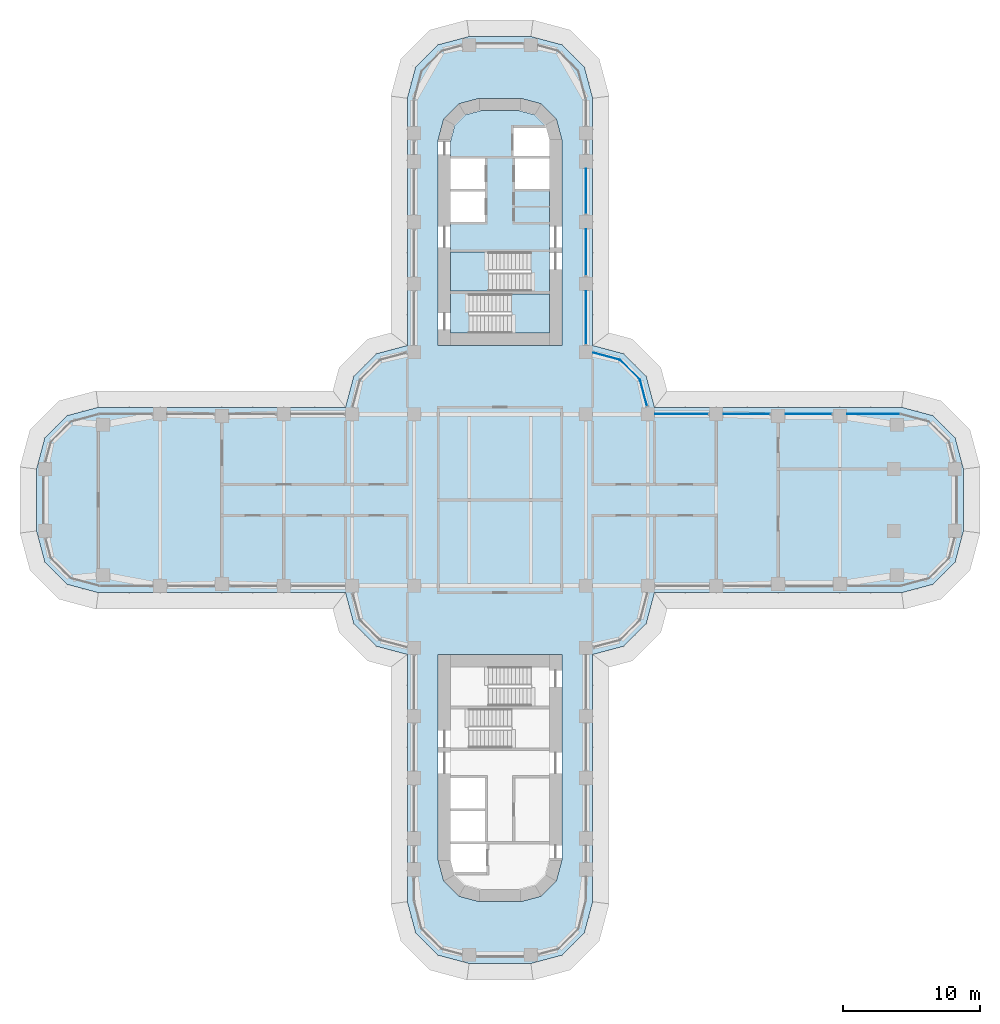
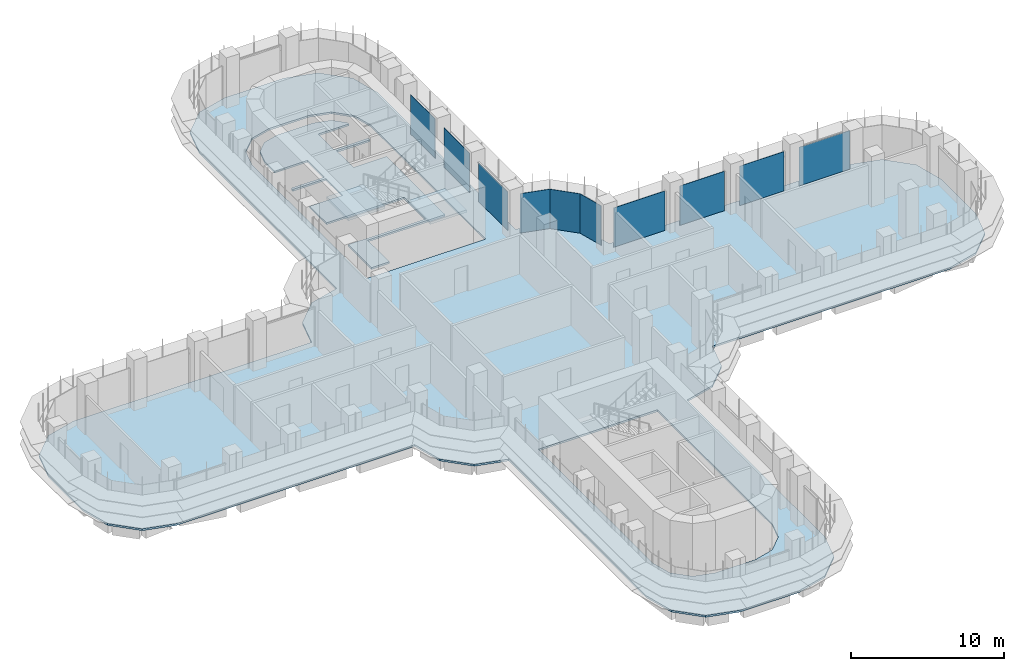
# One storey, part 15 of 23: 10 plates, 4 slabs, 7 elements without a shape of their own.
"""IFC4 building model written with IfcOpenShell, lengths in metres."""

from ifc_helpers import new_model, si_unit, direction, frame, origin, place, context, subcontext, project, spatial, polyline, outline, extrude, source, transform, mapped, material, layer, layer_set, type_object, element, aggregate, save


model = new_model("IFC4")

# Units and contexts
model_context = context("Model", 3, precision=1e-05, world=origin(), true_north=direction((0.0, 1.0)))
body_context = subcontext(model_context, "Body", "Model", "MODEL_VIEW")
ifc_project = project(units=[si_unit("LENGTHUNIT", "METRE"), si_unit("AREAUNIT", "SQUARE_METRE"), si_unit("VOLUMEUNIT", "CUBIC_METRE"), si_unit("PLANEANGLEUNIT", "RADIAN"), si_unit("MASSUNIT", "GRAM", prefix="KILO")], contexts=[model_context])

# Site, building, storey
site_placement = place(None, origin())
site = spatial("IfcSite", under=ifc_project, at=site_placement, CompositionType="ELEMENT")
building_placement = place(site_placement, origin())
building = spatial("IfcBuilding", under=site, at=building_placement, Name="Zarbagh Exchange Tower", CompositionType="ELEMENT")
storey_placement = place(building_placement, frame((0.0, 0.0, 43.800048828125)))
storey = spatial("IfcBuildingStorey", under=building, at=storey_placement, Name="L09", CompositionType="ELEMENT", Elevation=43.800048828125)

# Slabs
ifc_material_1 = material(Name="Concrete C40/50", Category="concrete")
ifc_layer_1 = layer(ifc_material_1, 0.14990234375)
ifc_layer_set_1 = layer_set([ifc_layer_1], Name="Composite floor slab 150 C40/50")
slab_type_1 = type_object("IfcSlabType", Name="Composite floor slab 150 C40/50", PredefinedType="FLOOR", material=ifc_layer_set_1)
slab_1_placement = place(storey_placement, frame((0.0, 0.0, -0.150146484375)))
element("IfcSlab", 1, at=slab_1_placement, inside=storey, type_object=slab_type_1, Name="S5 composite floor slab", PredefinedType="FLOOR", context=body_context, shape_type="SweptSolid", body=[
    extrude(outline(polyline([(-2.25, -33.75), (-4.5, -33.147216796875), (-6.147216796875, -31.5), (-6.75, -29.25), (-6.75, -11.25), (-9.0, -10.647216796875), (-10.647216796875, -9.0), (-11.25, -6.75), (-29.25, -6.75), (-31.5, -6.147216796875), (-33.147216796875, -4.5), (-33.75, -2.25), (-33.75, 2.25), (-33.147216796875, 4.5), (-31.5, 6.147216796875), (-29.25, 6.75), (-11.25, 6.75), (-10.647216796875, 9.0), (-9.0, 10.647216796875), (-6.75, 11.25), (-6.75, 29.25), (-6.147216796875, 31.5), (-4.5, 33.147216796875), (-2.25, 33.75), (2.25, 33.75), (4.5, 33.147216796875), (6.147216796875, 31.5), (6.75, 29.25), (6.75, 11.25), (9.0, 10.647216796875), (10.647216796875, 9.0), (11.25, 6.75), (29.25, 6.75), (31.5, 6.147216796875), (33.147216796875, 4.5), (33.75, 2.25), (33.75, -2.25), (33.147216796875, -4.5), (31.5, -6.147216796875), (29.25, -6.75), (11.25, -6.75), (10.647216796875, -9.0), (9.0, -10.647216796875), (6.75, -11.25), (6.75, -29.25), (6.147216796875, -31.5), (4.5, -33.147216796875), (2.25, -33.75), (-2.25, -33.75)]), holes=[polyline([(4.5, 11.25), (4.5, 26.25), (4.09814453125, 27.75), (3.0, 28.84814453125), (1.5, 29.25), (-1.5, 29.25), (-3.0, 28.84814453125), (-4.09814453125, 27.75), (-4.5, 26.25), (-4.5, 11.25), (4.5, 11.25)]), polyline([(-1.5, -29.25), (1.5, -29.25), (3.0, -28.84814453125), (4.09814453125, -27.75), (4.5, -26.25), (4.5, -11.25), (-4.5, -11.25), (-4.5, -26.25), (-4.09814453125, -27.75), (-3.0, -28.84814453125), (-1.5, -29.25)])]), origin(), (0.0, 0.0, 1.0), 0.150146484375),
])
ifc_layer_2 = layer(ifc_material_1, 0.14990234375)
ifc_layer_set_2 = layer_set([ifc_layer_2], Name="Core floor slab 150 C40/50")
slab_type_2 = type_object("IfcSlabType", Name="Core floor slab 150 C40/50", PredefinedType="FLOOR", material=ifc_layer_set_2)
slab_2_placement = place(storey_placement, frame((0.0, 0.0, -0.150146484375)))
element("IfcSlab", 2, at=slab_2_placement, inside=storey, type_object=slab_type_2, Name="S17 core N", PredefinedType="FLOOR", context=body_context, shape_type="SweptSolid", body=[
    extrude(outline(polyline([(-3.60009765625, 12.14990234375), (-3.60009765625, 15.199951171875), (2.25, 15.199951171875), (2.25, 18.050048828125), (-3.60009765625, 18.050048828125), (-3.60009765625, 20.25), (-1.10009765625, 20.25), (-1.10009765625, 22.449951171875), (-3.60009765625, 22.449951171875), (-3.60009765625, 22.64990234375), (-1.10009765625, 22.64990234375), (-1.10009765625, 24.85009765625), (-3.60009765625, 24.85009765625), (-3.60009765625, 26.131591796875), (-3.291259765625, 27.2841796875), (-2.5341796875, 28.041259765625), (-1.381591796875, 28.35009765625), (1.381591796875, 28.35009765625), (2.5341796875, 28.041259765625), (3.291259765625, 27.2841796875), (3.340576171875, 27.10009765625), (1.0, 27.10009765625), (1.0, 25.050048828125), (3.60009765625, 25.050048828125), (3.60009765625, 24.85009765625), (1.10009765625, 24.85009765625), (1.10009765625, 22.64990234375), (3.60009765625, 22.64990234375), (3.60009765625, 15.0), (-2.25, 15.0), (-2.25, 12.14990234375), (-3.60009765625, 12.14990234375)])), origin(), (0.0, 0.0, 1.0), 0.150146484375),
])

# Stair, slab
stair_type = type_object("IfcStairType", Name="Exit stair two-flight half-turn", PredefinedType="HALF_TURN_STAIR", material=ifc_material_1)
stair_1_placement = place(storey_placement, origin())
stair_1 = element("IfcStair", 3, at=stair_1_placement, inside=storey, type_object=stair_type, Name="exit stair ST1", PredefinedType="HALF_TURN_STAIR")
ifc_layer_3 = layer(ifc_material_1, 0.199951171875)
ifc_layer_set_3 = layer_set([ifc_layer_3], Name="Stair landing 200 mm")
slab_type_3 = type_object("IfcSlabType", Name="Stair landing 200 mm", PredefinedType="LANDING", material=ifc_layer_set_3)
slab_3_placement = place(storey_placement, frame((0.0, 0.0, 1.89990234375)))
slab_3 = element("IfcSlab", 4, at=slab_3_placement, type_object=slab_type_3, Name="ST1 landing 1", PredefinedType="LANDING", context=body_context, shape_type="SweptSolid", body=[
    extrude(outline(polyline([(-0.830078125, 18.050048828125), (-3.60009765625, 18.050048828125), (-3.60009765625, 15.199951171875), (-0.830078125, 15.199951171875), (-0.830078125, 18.050048828125)])), origin(), (0.0, 0.0, 1.0), 0.199951171875),
])
aggregate(stair_1, [slab_3])

stair_2_placement = place(storey_placement, origin())
stair_2 = element("IfcStair", 5, at=stair_2_placement, inside=storey, type_object=stair_type, Name="exit stair ST2", PredefinedType="HALF_TURN_STAIR")
slab_4_placement = place(storey_placement, frame((0.0, 0.0, 1.89990234375)))
slab_4 = element("IfcSlab", 6, at=slab_4_placement, type_object=slab_type_3, Name="ST2 landing 1", PredefinedType="LANDING", context=body_context, shape_type="SweptSolid", body=[
    extrude(outline(polyline([(0.830078125, 12.14990234375), (3.60009765625, 12.14990234375), (3.60009765625, 15.0), (0.830078125, 15.0), (0.830078125, 12.14990234375)])), origin(), (0.0, 0.0, 1.0), 0.199951171875),
])
aggregate(stair_2, [slab_4])

# Curtain wall, plate
ifc_material_2 = material(Name="Anodised aluminium frame and glazing", Category="aluminium")
curtain_wall_type = type_object("IfcCurtainWallType", Name="CWA Ribbon glazing, lower zones", PredefinedType="NOTDEFINED", material=ifc_material_2)
curtain_wall_1_placement = place(storey_placement, origin())
curtain_wall_1 = element("IfcCurtainWall", 7, at=curtain_wall_1_placement, inside=storey, type_object=curtain_wall_type, Name="CWA18 curtain wall", PredefinedType="NOTDEFINED")
ifc_material_3 = material(Name="Low-e double glazed unit, 6+12+6 mm")
ifc_layer_4 = layer(ifc_material_3, 0.028076171875)
ifc_layer_set_4 = layer_set([ifc_layer_4], Name="PAA Glazing panel, Low-e double glazed unit, 6+12+6 mm")
plate_type = type_object("IfcPlateType", Name="PAA Glazing panel, Low-e double glazed unit, 6+12+6 mm", PredefinedType="CURTAIN_PANEL", material=ifc_layer_set_4)
shared_shape_1 = source(origin(), body_context, "Body", "SweptSolid", [
    extrude(outline(polyline([(0.0, -0.013916015625), (2.061279296875, -0.013916015625), (2.061279296875, 0.013916015625), (0.0, 0.013916015625), (0.0, -0.013916015625)])), origin(), (0.0, 0.0, 1.0), 3.14990234375),
])
placement = place(storey_placement, origin())
plate_1 = element("IfcPlate", 8, at=placement, type_object=plate_type, Name="CWA18 glazing panel 1.1", PredefinedType="CURTAIN_PANEL", context=body_context, shape_type="MappedRepresentation", body=[
    mapped(shared_shape_1, transform((10.19873046875, 8.7412109375, 0.0), x_axis=(-0.707106781187, 0.707106781187, 0.0), y_axis=(-0.707106781187, -0.707106781187, 0.0), z_axis=(0.0, 0.0, 1.0))),
])
aggregate(curtain_wall_1, [plate_1])

curtain_wall_2_placement = place(storey_placement, origin())
curtain_wall_2 = element("IfcCurtainWall", 9, at=curtain_wall_2_placement, inside=storey, type_object=curtain_wall_type, Name="CWA20 curtain wall", PredefinedType="NOTDEFINED")
shared_shape_2 = source(origin(), body_context, "Body", "SweptSolid", [
    extrude(outline(polyline([(0.0, -0.013916015625), (3.260009765625, -0.013916015625), (3.260009765625, 0.013916015625), (0.0, 0.013916015625), (0.0, -0.013916015625)])), origin(), (0.0, 0.0, 1.0), 3.14990234375),
])
plate_2 = element("IfcPlate", 10, at=placement, type_object=plate_type, Name="CWA20 glazing panel 3.1", PredefinedType="CURTAIN_PANEL", context=body_context, shape_type="MappedRepresentation", body=[
    mapped(shared_shape_2, transform((6.25, 20.85009765625, 0.0), x_axis=(0.0, 1.0, 0.0), y_axis=(-1.0, 0.0, 0.0), z_axis=(0.0, 0.0, 1.0))),
])

# Curtain wall, plates
curtain_wall_3_placement = place(storey_placement, origin())
curtain_wall_3 = element("IfcCurtainWall", 11, at=curtain_wall_3_placement, inside=storey, type_object=curtain_wall_type, Name="CWA16 curtain wall", PredefinedType="NOTDEFINED")
shared_shape_3 = source(origin(), body_context, "Body", "SweptSolid", [
    extrude(outline(polyline([(0.0, -0.013916015625), (3.360107421875, -0.013916015625), (3.360107421875, 0.013916015625), (0.0, 0.013916015625), (0.0, -0.013916015625)])), origin(), (0.0, 0.0, 1.0), 3.14990234375),
])
plate_3 = element("IfcPlate", 12, at=placement, type_object=plate_type, Name="CWA16 glazing panel 2.1", PredefinedType="CURTAIN_PANEL", context=body_context, shape_type="MappedRepresentation", body=[
    mapped(shared_shape_3, transform((24.14990234375, 6.25, 0.0), x_axis=(-1.0, 0.0, 0.0), y_axis=(0.0, -1.0, 0.0), z_axis=(0.0, 0.0, 1.0))),
])
plate_4 = element("IfcPlate", 13, at=placement, type_object=plate_type, Name="CWA16 glazing panel 3.1", PredefinedType="CURTAIN_PANEL", context=body_context, shape_type="MappedRepresentation", body=[
    mapped(shared_shape_3, transform((19.64990234375, 6.25, 0.0), x_axis=(-1.0, 0.0, 0.0), y_axis=(0.0, -1.0, 0.0), z_axis=(0.0, 0.0, 1.0))),
])

# Plate
plate_5 = element("IfcPlate", 14, at=placement, type_object=plate_type, Name="CWA20 glazing panel 2.1", PredefinedType="CURTAIN_PANEL", context=body_context, shape_type="MappedRepresentation", body=[
    mapped(shared_shape_3, transform((6.25, 16.35009765625, 0.0), x_axis=(0.0, 1.0, 0.0), y_axis=(-1.0, 0.0, 0.0), z_axis=(0.0, 0.0, 1.0))),
])

# Curtain wall, plate
curtain_wall_4_placement = place(storey_placement, origin())
curtain_wall_4 = element("IfcCurtainWall", 15, at=curtain_wall_4_placement, inside=storey, type_object=curtain_wall_type, Name="CWA17 curtain wall", PredefinedType="NOTDEFINED")
shared_shape_4 = source(origin(), body_context, "Body", "SweptSolid", [
    extrude(outline(polyline([(0.0, -0.013916015625), (1.9599609375, -0.013916015625), (1.9599609375, 0.013916015625), (0.0, 0.013916015625), (0.0, -0.013916015625)])), origin(), (0.0, 0.0, 1.0), 3.14990234375),
])
plate_6 = element("IfcPlate", 16, at=placement, type_object=plate_type, Name="CWA17 glazing panel 1.1", PredefinedType="CURTAIN_PANEL", context=body_context, shape_type="MappedRepresentation", body=[
    mapped(shared_shape_4, transform((10.7060546875, 6.847900390625, 0.0), x_axis=(-0.258824779902, 0.965924289636, 0.0), y_axis=(-0.965924289636, -0.258824779902, 0.0), z_axis=(0.0, 0.0, 1.0))),
])
aggregate(curtain_wall_4, [plate_6])

curtain_wall_5_placement = place(storey_placement, origin())
curtain_wall_5 = element("IfcCurtainWall", 17, at=curtain_wall_5_placement, inside=storey, type_object=curtain_wall_type, Name="CWA19 curtain wall", PredefinedType="NOTDEFINED")
shared_shape_5 = source(origin(), body_context, "Body", "SweptSolid", [
    extrude(outline(polyline([(0.0, -0.013916015625), (2.02001953125, -0.013916015625), (2.02001953125, 0.013916015625), (0.0, 0.013916015625), (0.0, -0.013916015625)])), origin(), (0.0, 0.0, 1.0), 3.14990234375),
])
plate_7 = element("IfcPlate", 18, at=placement, type_object=plate_type, Name="CWA19 glazing panel 1.1", PredefinedType="CURTAIN_PANEL", context=body_context, shape_type="MappedRepresentation", body=[
    mapped(shared_shape_5, transform((8.7412109375, 10.19873046875, 0.0), x_axis=(-0.965924289636, 0.258824779902, 0.0), y_axis=(-0.258824779902, -0.965924289636, 0.0), z_axis=(0.0, 0.0, 1.0))),
])
aggregate(curtain_wall_5, [plate_7])

# Plate
shared_shape_6 = source(origin(), body_context, "Body", "SweptSolid", [
    extrude(outline(polyline([(0.0, -0.013916015625), (3.860107421875, -0.013916015625), (3.860107421875, 0.013916015625), (0.0, 0.013916015625), (0.0, -0.013916015625)])), origin(), (0.0, 0.0, 1.0), 3.090087890625),
])
plate_8 = element("IfcPlate", 19, at=placement, type_object=plate_type, Name="CWA20 glazing panel 1.1", PredefinedType="CURTAIN_PANEL", context=body_context, shape_type="MappedRepresentation", body=[
    mapped(shared_shape_6, transform((6.25, 11.35009765625, 0.0), x_axis=(0.0, 1.0, 0.0), y_axis=(-1.0, 0.0, 0.0), z_axis=(0.0, 0.0, 1.0))),
])

aggregate(curtain_wall_2, [plate_8, plate_5, plate_2])

shared_shape_7 = source(origin(), body_context, "Body", "SweptSolid", [
    extrude(outline(polyline([(0.0, -0.013916015625), (3.834228515625, -0.013916015625), (3.834228515625, 0.013916015625), (0.0, 0.013916015625), (0.0, -0.013916015625)])), origin(), (0.0, 0.0, 1.0), 3.090087890625),
])
plate_9 = element("IfcPlate", 20, at=placement, type_object=plate_type, Name="CWA16 glazing panel 1.1", PredefinedType="CURTAIN_PANEL", context=body_context, shape_type="MappedRepresentation", body=[
    mapped(shared_shape_7, transform((29.124267578125, 6.25, 0.0), x_axis=(-1.0, 0.0, 0.0), y_axis=(0.0, -1.0, 0.0), z_axis=(0.0, 0.0, 1.0))),
])

shared_shape_8 = source(origin(), body_context, "Body", "SweptSolid", [
    extrude(outline(polyline([(0.0, -0.013916015625), (3.860107421875, -0.013916015625), (3.860107421875, 0.013916015625), (0.0, 0.013916015625), (0.0, -0.013916015625)])), origin(), (0.0, 0.0, 1.0), 3.14990234375),
])
plate_10 = element("IfcPlate", 21, at=placement, type_object=plate_type, Name="CWA16 glazing panel 4.1", PredefinedType="CURTAIN_PANEL", context=body_context, shape_type="MappedRepresentation", body=[
    mapped(shared_shape_8, transform((15.14990234375, 6.25, 0.0), x_axis=(-1.0, 0.0, 0.0), y_axis=(0.0, -1.0, 0.0), z_axis=(0.0, 0.0, 1.0))),
])

aggregate(curtain_wall_3, [plate_9, plate_3, plate_4, plate_10])

save(model, "model.ifc")
